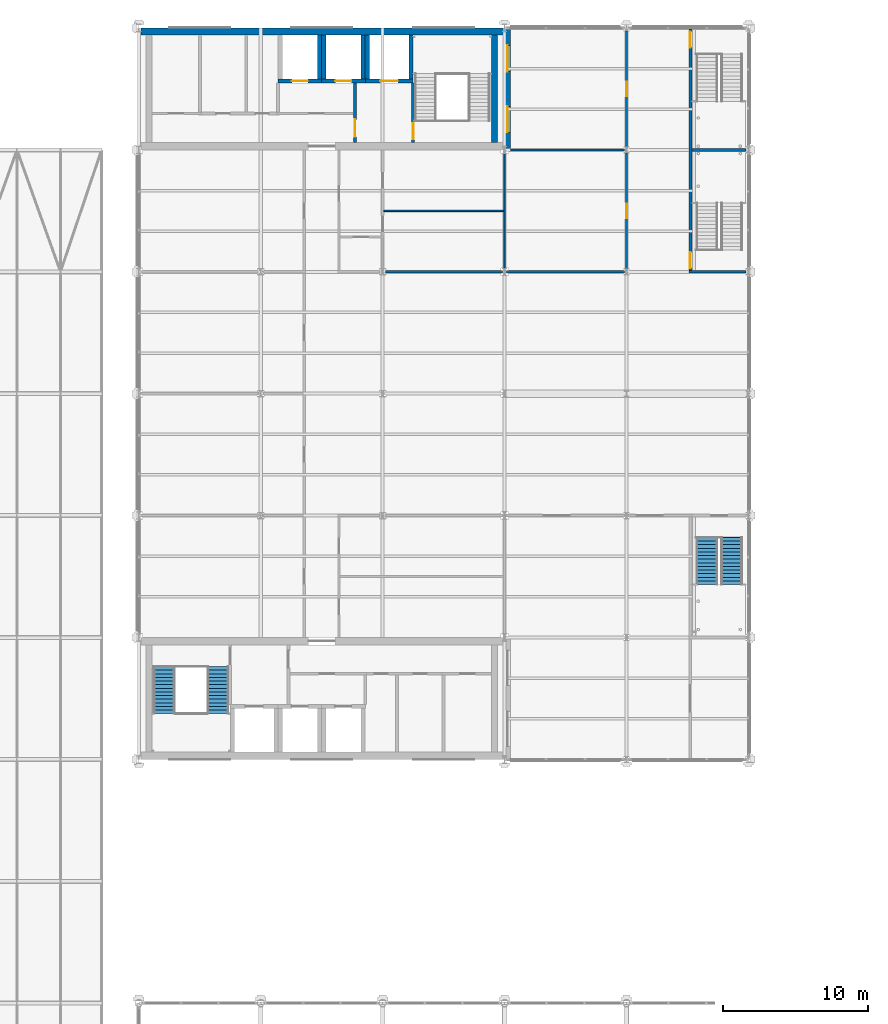
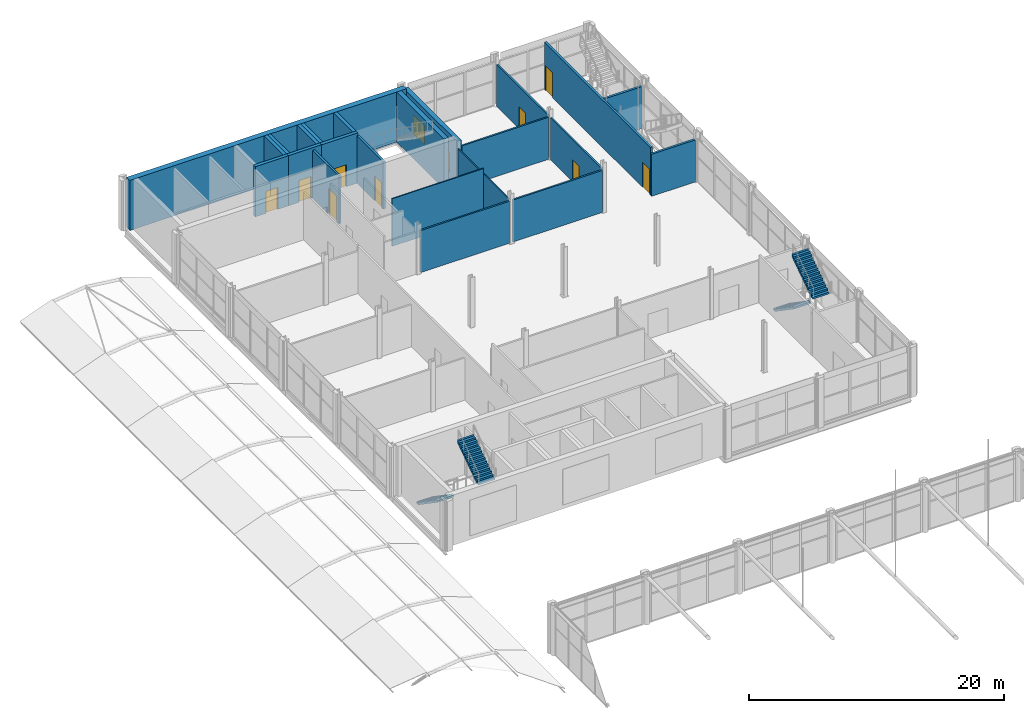
# One storey, part 156 of 167: 23 walls, 9 doors, 4 stair flights, 2 windows, 11 openings, 2 elements without a shape of their own.
"""IFC4 building model written with IfcOpenShell, lengths in metres."""

from ifc_helpers import new_model, si_unit, direction, frame, frame_2d, origin, place, context, subcontext, project, spatial, polyline, rectangle, outline, extrude, material, layer, layer_set, type_object, element, fill, aggregate, save


model = new_model("IFC4")

# Units and contexts
model_context = context("Model", 3, precision=1e-05, world=origin(), true_north=direction((0.0, 1.0)))
body_context = subcontext(model_context, "Body", "Model", "MODEL_VIEW")
ifc_project = project(units=[si_unit("LENGTHUNIT", "METRE"), si_unit("AREAUNIT", "SQUARE_METRE"), si_unit("VOLUMEUNIT", "CUBIC_METRE"), si_unit("PLANEANGLEUNIT", "RADIAN"), si_unit("MASSUNIT", "GRAM", prefix="KILO")], contexts=[model_context])

# Site, building, storey
site_placement = place(None, origin())
site = spatial("IfcSite", under=ifc_project, at=site_placement, CompositionType="ELEMENT")
building_placement = place(site_placement, origin())
building = spatial("IfcBuilding", under=site, at=building_placement, Name="Catenary Quay Ferry Terminal", CompositionType="ELEMENT")
storey_placement = place(building_placement, frame((0.0, 0.0, 6.0)))
storey = spatial("IfcBuildingStorey", under=building, at=storey_placement, Name="L01", CompositionType="ELEMENT", Elevation=6.0)

# Walls
ifc_material_1 = material(Name="Concrete C50/60", Category="concrete")
ifc_layer_1 = layer(ifc_material_1, 0.39990234375)
ifc_layer_set_1 = layer_set([ifc_layer_1], Name="Core wall 400")
wall_type_1 = type_object("IfcWallType", Name="Core wall 400", PredefinedType="SHEAR", material=ifc_layer_set_1)
wall_1_placement = place(storey_placement, frame((49.699951171875, 202.10009765625, 0.0), z_axis=(0.0, 0.0, 1.0), x_axis=(0.0, 1.0, 0.0)))
element("IfcWall", 1, at=wall_1_placement, inside=storey, type_object=wall_type_1, Name="Core wall N4", PredefinedType="SHEAR", context=body_context, shape_type="SweptSolid", body=[
    extrude(rectangle(XDim=7.39990234375, YDim=0.39990234375, at=frame_2d((3.699951171875, 0.0))), origin(), (0.0, 0.0, 1.0), 4.800048828125),
])
ifc_material_2 = material(Name="Concrete C50/60", Category="concrete")
ifc_layer_2 = layer(ifc_material_2, 0.5)
ifc_layer_set_2 = layer_set([ifc_layer_2], Name="Core wall 500")
wall_type_2 = type_object("IfcWallType", Name="Core wall 500", PredefinedType="SHEAR", material=ifc_layer_set_2)
wall_2_placement = place(storey_placement, frame((25.35009765625, 209.75, 0.0), z_axis=(0.0, 0.0, 1.0), x_axis=(1.0, 0.0, 0.0)))
element("IfcWall", 2, at=wall_2_placement, inside=storey, type_object=wall_type_2, Name="Core wall N2", PredefinedType="SHEAR", context=body_context, shape_type="SweptSolid", body=[
    extrude(rectangle(XDim=25.04296875, YDim=0.5, at=frame_2d((12.521484375, 0.0))), origin(), (0.0, 0.0, 1.0), 4.800048828125),
])

# Wall, openings, windows
ifc_material_3 = material(Name="Masonry and insulation", Category="masonry")
ifc_layer_3 = layer(ifc_material_3, 0.39990234375)
ifc_layer_set_3 = layer_set([ifc_layer_3], Name="EW2")
wall_type_3 = type_object("IfcWallType", Name="EW2", PredefinedType="SOLIDWALL", material=ifc_layer_set_3)
wall_3_placement = place(storey_placement, frame((50.60009765625, 201.60009765625, 0.0), z_axis=(0.0, 0.0, 1.0), x_axis=(0.0, 1.0, 0.0)))
wall_3 = element("IfcWall", 3, at=wall_3_placement, inside=storey, type_object=wall_type_3, Name="P34 wall WL189", PredefinedType="SOLIDWALL", context=body_context, shape_type="SweptSolid", body=[
    extrude(rectangle(XDim=8.39990234375, YDim=0.39990234375, at=frame_2d((4.199951171875, 0.0))), origin(), (0.0, 0.0, 1.0), 4.550048828125),
])
opening_1_placement = place(wall_3_placement, frame((1.199951171875, 0.0, 0.89990234375)))
opening_1 = element("IfcOpeningElement", 4, at=opening_1_placement, cuts=wall_3, Name="Opening W40", PredefinedType="OPENING", context=body_context, shape_type="SweptSolid", body=[
    extrude(rectangle(XDim=1.800048828125, YDim=1.800048828125, at=frame_2d((0.89990234375, 0.89990234375))), frame((0.0, 0.2099609375, 0.0), z_axis=(0.0, -1.0, 0.0), x_axis=(1.0, 0.0, 0.0)), (0.0, 0.0, 1.0), 0.419921875),
])
opening_2_placement = place(wall_3_placement, frame((5.39990234375, 0.0, 0.89990234375)))
opening_2 = element("IfcOpeningElement", 5, at=opening_2_placement, cuts=wall_3, Name="Opening W41", PredefinedType="OPENING", context=body_context, shape_type="SweptSolid", body=[
    extrude(rectangle(XDim=1.800048828125, YDim=1.800048828125, at=frame_2d((0.89990234375, 0.89990234375))), frame((0.0, 0.2099609375, 0.0), z_axis=(0.0, -1.0, 0.0), x_axis=(1.0, 0.0, 0.0)), (0.0, 0.0, 1.0), 0.419921875),
])
ifc_material_4 = material(Name="Aluminium and glass", Category="aluminium")
window_type = type_object("IfcWindowType", Name="WT1", PartitioningType="SINGLE_PANEL", PredefinedType="WINDOW", material=ifc_material_4)
window_1_placement = place(opening_1_placement, origin())
window_1 = element("IfcWindow", 6, at=window_1_placement, inside=storey, type_object=window_type, Name="P34 window W40", OverallHeight=1.800048828125, OverallWidth=1.800048828125, PartitioningType="SINGLE_PANEL", PredefinedType="WINDOW", context=body_context, shape_type="SweptSolid", body=[
    extrude(rectangle(XDim=1.800048828125, YDim=1.800048828125, at=frame_2d((0.89990234375, 0.89990234375))), frame((0.0, 0.030029296875, 0.0), z_axis=(0.0, -1.0, 0.0), x_axis=(1.0, 0.0, 0.0)), (0.0, 0.0, 1.0), 0.06005859375),
])
fill(opening_1, window_1)
window_2_placement = place(opening_2_placement, origin())
window_2 = element("IfcWindow", 7, at=window_2_placement, inside=storey, type_object=window_type, Name="P34 window W41", OverallHeight=1.800048828125, OverallWidth=1.800048828125, PartitioningType="SINGLE_PANEL", PredefinedType="WINDOW", context=body_context, shape_type="SweptSolid", body=[
    extrude(rectangle(XDim=1.800048828125, YDim=1.800048828125, at=frame_2d((0.89990234375, 0.89990234375))), frame((0.0, 0.030029296875, 0.0), z_axis=(0.0, -1.0, 0.0), x_axis=(1.0, 0.0, 0.0)), (0.0, 0.0, 1.0), 0.06005859375),
])
fill(opening_2, window_2)

# Walls
ifc_material_5 = material(Name="Concrete C35/45", Category="concrete")
ifc_layer_4 = layer(ifc_material_5, 0.199951171875)
ifc_layer_set_4 = layer_set([ifc_layer_4], Name="IP12")
wall_type_4 = type_object("IfcWallType", Name="IP12", PredefinedType="PARTITIONING", material=ifc_layer_set_4)
wall_4_placement = place(storey_placement, frame((63.10009765625, 193.199951171875, 0.0), z_axis=(0.0, 0.0, 1.0), x_axis=(1.0, 0.0, 0.0)))
element("IfcWall", 8, at=wall_4_placement, inside=storey, type_object=wall_type_4, Name="Stair wall L01 44", PredefinedType="PARTITIONING", context=body_context, shape_type="SweptSolid", body=[
    extrude(rectangle(XDim=3.949951171875, YDim=0.199951171875, at=frame_2d((1.97509765625, 0.0))), origin(), (0.0, 0.0, 1.0), 4.021728515625),
])
wall_5_placement = place(storey_placement, frame((63.300048828125, 201.60009765625, 0.0), z_axis=(0.0, 0.0, 1.0), x_axis=(1.0, 0.0, 0.0)))
element("IfcWall", 9, at=wall_5_placement, inside=storey, type_object=wall_type_4, Name="Stair wall L01 48", PredefinedType="PARTITIONING", context=body_context, shape_type="SweptSolid", body=[
    extrude(rectangle(XDim=3.75, YDim=0.199951171875, at=frame_2d((1.875, 0.0))), origin(), (0.0, 0.0, 1.0), 4.021728515625),
])

# Wall, openings, doors
wall_6_placement = place(storey_placement, frame((63.199951171875, 193.300048828125, 0.0), z_axis=(0.0, 0.0, 1.0), x_axis=(0.0, 1.0, 0.0)))
wall_6 = element("IfcWall", 10, at=wall_6_placement, inside=storey, type_object=wall_type_4, Name="Stair wall L01 81", PredefinedType="PARTITIONING", context=body_context, shape_type="SweptSolid", body=[
    extrude(rectangle(XDim=16.625, YDim=0.199951171875, at=frame_2d((8.3125, 0.0))), origin(), (0.0, 0.0, 1.0), 4.550048828125),
])
opening_3_placement = place(wall_6_placement, frame((0.14990234375, 0.0, 0.0)))
opening_3 = element("IfcOpeningElement", 11, at=opening_3_placement, cuts=wall_6, Name="Opening D156", PredefinedType="OPENING", context=body_context, shape_type="SweptSolid", body=[
    extrude(rectangle(XDim=1.10009765625, YDim=2.39990234375, at=frame_2d((0.550048828125, 1.199951171875))), frame((0.0, 0.10986328125, 0.0), z_axis=(0.0, -1.0, 0.0), x_axis=(1.0, 0.0, 0.0)), (0.0, 0.0, 1.0), 0.219970703125),
])
opening_4_placement = place(wall_6_placement, frame((15.35009765625, 0.0, 0.0)))
opening_4 = element("IfcOpeningElement", 12, at=opening_4_placement, cuts=wall_6, Name="Opening D157", PredefinedType="OPENING", context=body_context, shape_type="SweptSolid", body=[
    extrude(rectangle(XDim=1.10009765625, YDim=2.39990234375, at=frame_2d((0.550048828125, 1.199951171875))), frame((0.0, 0.10986328125, 0.0), z_axis=(0.0, -1.0, 0.0), x_axis=(1.0, 0.0, 0.0)), (0.0, 0.0, 1.0), 0.219970703125),
])
ifc_material_6 = material(Name="Steel", Category="steel")
door_type_1 = type_object("IfcDoorType", Name="DI4", OperationType="SINGLE_SWING_LEFT", PredefinedType="DOOR", material=ifc_material_6)
door_1_placement = place(opening_3_placement, frame((1.10009765625, 0.0, 0.0), z_axis=(0.0, 0.0, 1.0), x_axis=(-1.0, 0.0, 0.0)))
door_1 = element("IfcDoor", 13, at=door_1_placement, inside=storey, type_object=door_type_1, Name="Stair HS4 to East Passage", OperationType="SINGLE_SWING_RIGHT", OverallHeight=2.39990234375, OverallWidth=1.10009765625, PredefinedType="DOOR", context=body_context, shape_type="SweptSolid", body=[
    extrude(rectangle(XDim=1.10009765625, YDim=2.39990234375, at=frame_2d((0.550048828125, 1.199951171875))), frame((0.0, 0.02490234375, 0.0), z_axis=(0.0, -1.0, 0.0), x_axis=(1.0, 0.0, 0.0)), (0.0, 0.0, 1.0), 0.050048828125),
])
fill(opening_3, door_1)
door_2_placement = place(opening_4_placement, frame((1.10009765625, 0.0, 0.0), z_axis=(0.0, 0.0, 1.0), x_axis=(-1.0, 0.0, 0.0)))
door_2 = element("IfcDoor", 14, at=door_2_placement, inside=storey, type_object=door_type_1, Name="Stair HS5 to East Passage", OperationType="SINGLE_SWING_RIGHT", OverallHeight=2.39990234375, OverallWidth=1.10009765625, PredefinedType="DOOR", context=body_context, shape_type="SweptSolid", body=[
    extrude(rectangle(XDim=1.10009765625, YDim=2.39990234375, at=frame_2d((0.550048828125, 1.199951171875))), frame((0.0, 0.02490234375, 0.0), z_axis=(0.0, -1.0, 0.0), x_axis=(1.0, 0.0, 0.0)), (0.0, 0.0, 1.0), 0.050048828125),
])
fill(opening_4, door_2)

# Walls
ifc_material_7 = material(Name="Plasterboard on steel studs", Category="steel")
ifc_layer_5 = layer(ifc_material_7, 0.14990234375)
ifc_layer_set_5 = layer_set([ifc_layer_5], Name="IP3")
wall_type_5 = type_object("IfcWallType", Name="IP3", PredefinedType="PARTITIONING", material=ifc_layer_set_5)
wall_7_placement = place(storey_placement, frame((42.201904296875, 193.199951171875, 0.0), z_axis=(0.0, 0.0, 1.0), x_axis=(1.0, 0.0, 0.0)))
element("IfcWall", 15, at=wall_7_placement, inside=storey, type_object=wall_type_5, Name="Partition L01 42", PredefinedType="PARTITIONING", context=body_context, shape_type="SweptSolid", body=[
    extrude(rectangle(XDim=8.048095703125, YDim=0.14990234375, at=frame_2d((4.02392578125, 0.0))), origin(), (0.0, 0.0, 1.0), 4.021728515625),
])
wall_8_placement = place(storey_placement, frame((50.550048828125, 193.199951171875, 0.0), z_axis=(0.0, 0.0, 1.0), x_axis=(1.0, 0.0, 0.0)))
element("IfcWall", 16, at=wall_8_placement, inside=storey, type_object=wall_type_5, Name="Partition L01 43", PredefinedType="PARTITIONING", context=body_context, shape_type="SweptSolid", body=[
    extrude(rectangle(XDim=8.099853515625, YDim=0.14990234375, at=frame_2d((4.0498046875, 0.0))), origin(), (0.0, 0.0, 1.0), 4.021728515625),
])

# Wall, opening, door
wall_9_placement = place(storey_placement, frame((58.800048828125, 193.39990234375, 0.0), z_axis=(0.0, 0.0, 1.0), x_axis=(0.0, 1.0, 0.0)))
wall_9 = element("IfcWall", 17, at=wall_9_placement, inside=storey, type_object=wall_type_5, Name="Partition L01 75", PredefinedType="PARTITIONING", context=body_context, shape_type="SweptSolid", body=[
    extrude(rectangle(XDim=8.0, YDim=0.14990234375, at=frame_2d((4.0, 0.0))), origin(), (0.0, 0.0, 1.0), 4.021728515625),
])
opening_5_placement = place(wall_9_placement, frame((3.5, 0.0, 0.0)))
opening_5 = element("IfcOpeningElement", 18, at=opening_5_placement, cuts=wall_9, Name="Opening D153", PredefinedType="OPENING", context=body_context, shape_type="SweptSolid", body=[
    extrude(rectangle(XDim=1.0, YDim=2.10009765625, at=frame_2d((0.5, 1.050048828125))), frame((0.0, 0.0849609375, 0.0), z_axis=(0.0, -1.0, 0.0), x_axis=(1.0, 0.0, 0.0)), (0.0, 0.0, 1.0), 0.169921875),
])
ifc_material_8 = material(Name="Timber", Category="wood")
door_type_2 = type_object("IfcDoorType", Name="DI7", OperationType="SINGLE_SWING_LEFT", PredefinedType="DOOR", material=ifc_material_8)
door_3_placement = place(opening_5_placement, origin())
door_3 = element("IfcDoor", 19, at=door_3_placement, inside=storey, type_object=door_type_2, Name="Harbour Office to East Passage", OperationType="SINGLE_SWING_LEFT", OverallHeight=2.10009765625, OverallWidth=1.0, PredefinedType="DOOR", context=body_context, shape_type="SweptSolid", body=[
    extrude(rectangle(XDim=1.0, YDim=2.10009765625, at=frame_2d((0.5, 1.050048828125))), frame((0.0, 0.02490234375, 0.0), z_axis=(0.0, -1.0, 0.0), x_axis=(1.0, 0.0, 0.0)), (0.0, 0.0, 1.0), 0.050048828125),
])
fill(opening_5, door_3)

wall_10_placement = place(storey_placement, frame((58.800048828125, 201.800048828125, 0.0), z_axis=(0.0, 0.0, 1.0), x_axis=(0.0, 1.0, 0.0)))
wall_10 = element("IfcWall", 20, at=wall_10_placement, inside=storey, type_object=wall_type_5, Name="Partition L01 76", PredefinedType="PARTITIONING", context=body_context, shape_type="SweptSolid", body=[
    extrude(rectangle(XDim=8.0, YDim=0.14990234375, at=frame_2d((4.0, 0.0))), origin(), (0.0, 0.0, 1.0), 4.021728515625),
])
opening_6_placement = place(wall_10_placement, frame((3.5, 0.0, 0.0)))
opening_6 = element("IfcOpeningElement", 21, at=opening_6_placement, cuts=wall_10, Name="Opening D154", PredefinedType="OPENING", context=body_context, shape_type="SweptSolid", body=[
    extrude(rectangle(XDim=1.0, YDim=2.10009765625, at=frame_2d((0.5, 1.050048828125))), frame((0.0, 0.0849609375, 0.0), z_axis=(0.0, -1.0, 0.0), x_axis=(1.0, 0.0, 0.0)), (0.0, 0.0, 1.0), 0.169921875),
])
door_4_placement = place(opening_6_placement, origin())
door_4 = element("IfcDoor", 22, at=door_4_placement, inside=storey, type_object=door_type_2, Name="Navigation Chart Room to East Passage", OperationType="SINGLE_SWING_LEFT", OverallHeight=2.10009765625, OverallWidth=1.0, PredefinedType="DOOR", context=body_context, shape_type="SweptSolid", body=[
    extrude(rectangle(XDim=1.0, YDim=2.10009765625, at=frame_2d((0.5, 1.050048828125))), frame((0.0, 0.02490234375, 0.0), z_axis=(0.0, -1.0, 0.0), x_axis=(1.0, 0.0, 0.0)), (0.0, 0.0, 1.0), 0.050048828125),
])
fill(opening_6, door_4)

ifc_material_9 = material(Name="Blockwork and plaster", Category="masonry")
ifc_layer_6 = layer(ifc_material_9, 0.199951171875)
ifc_layer_set_6 = layer_set([ifc_layer_6], Name="IP4")
wall_type_6 = type_object("IfcWallType", Name="IP4", PredefinedType="PARTITIONING", material=ifc_layer_set_6)
wall_11_placement = place(storey_placement, frame((40.10009765625, 202.10009765625, 0.0), z_axis=(0.0, 0.0, 1.0), x_axis=(0.0, 1.0, 0.0)))
wall_11 = element("IfcWall", 23, at=wall_11_placement, inside=storey, type_object=wall_type_6, Name="Partition L01 64", PredefinedType="PARTITIONING", context=body_context, shape_type="SweptSolid", body=[
    extrude(rectangle(XDim=4.099853515625, YDim=0.199951171875, at=frame_2d((2.0498046875, 0.0))), origin(), (0.0, 0.0, 1.0), 4.550048828125),
])
opening_7_placement = place(wall_11_placement, frame((0.39990234375, 0.0, 0.0)))
opening_7 = element("IfcOpeningElement", 24, at=opening_7_placement, cuts=wall_11, Name="Opening D129", PredefinedType="OPENING", context=body_context, shape_type="SweptSolid", body=[
    extrude(rectangle(XDim=1.199951171875, YDim=2.39990234375, at=frame_2d((0.60009765625, 1.199951171875))), frame((0.0, 0.10986328125, 0.0), z_axis=(0.0, -1.0, 0.0), x_axis=(1.0, 0.0, 0.0)), (0.0, 0.0, 1.0), 0.219970703125),
])
ifc_material_10 = material(Name="Steel and glass", Category="steel")
door_type_3 = type_object("IfcDoorType", Name="DI10", OperationType="SINGLE_SWING_LEFT", PredefinedType="DOOR", material=ifc_material_10)
door_5_placement = place(opening_7_placement, frame((1.199951171875, 0.0, 0.0), z_axis=(0.0, 0.0, 1.0), x_axis=(-1.0, 0.0, 0.0)))
door_5 = element("IfcDoor", 25, at=door_5_placement, inside=storey, type_object=door_type_3, Name="Fire-fighting Lobby N to Core Corridor N", OperationType="SINGLE_SWING_RIGHT", OverallHeight=2.39990234375, OverallWidth=1.199951171875, PredefinedType="DOOR", context=body_context, shape_type="SweptSolid", body=[
    extrude(rectangle(XDim=1.199951171875, YDim=2.39990234375, at=frame_2d((0.60009765625, 1.199951171875))), frame((0.0, 0.02490234375, 0.0), z_axis=(0.0, -1.0, 0.0), x_axis=(1.0, 0.0, 0.0)), (0.0, 0.0, 1.0), 0.050048828125),
])
fill(opening_7, door_5)

wall_12_placement = place(storey_placement, frame((44.10009765625, 202.10009765625, 0.0), z_axis=(0.0, 0.0, 1.0), x_axis=(0.0, 1.0, 0.0)))
wall_12 = element("IfcWall", 26, at=wall_12_placement, inside=storey, type_object=wall_type_6, Name="Partition L01 69", PredefinedType="PARTITIONING", context=body_context, shape_type="SweptSolid", body=[
    extrude(rectangle(XDim=4.099853515625, YDim=0.199951171875, at=frame_2d((2.0498046875, 0.0))), origin(), (0.0, 0.0, 1.0), 4.550048828125),
])
opening_8_placement = place(wall_12_placement, frame((0.25, 0.0, 0.0)))
opening_8 = element("IfcOpeningElement", 27, at=opening_8_placement, cuts=wall_12, Name="Opening D137", PredefinedType="OPENING", context=body_context, shape_type="SweptSolid", body=[
    extrude(rectangle(XDim=1.10009765625, YDim=2.39990234375, at=frame_2d((0.550048828125, 1.199951171875))), frame((0.0, 0.10986328125, 0.0), z_axis=(0.0, -1.0, 0.0), x_axis=(1.0, 0.0, 0.0)), (0.0, 0.0, 1.0), 0.219970703125),
])
door_6_placement = place(opening_8_placement, frame((1.10009765625, 0.0, 0.0), z_axis=(0.0, 0.0, 1.0), x_axis=(-1.0, 0.0, 0.0)))
door_6 = element("IfcDoor", 28, at=door_6_placement, inside=storey, type_object=door_type_1, Name="Stair HS1 to Fire-fighting Lobby N", OperationType="SINGLE_SWING_RIGHT", OverallHeight=2.39990234375, OverallWidth=1.10009765625, PredefinedType="DOOR", context=body_context, shape_type="SweptSolid", body=[
    extrude(rectangle(XDim=1.10009765625, YDim=2.39990234375, at=frame_2d((0.550048828125, 1.199951171875))), frame((0.0, 0.02490234375, 0.0), z_axis=(0.0, -1.0, 0.0), x_axis=(1.0, 0.0, 0.0)), (0.0, 0.0, 1.0), 0.050048828125),
])
fill(opening_8, door_6)

# Walls
ifc_material_11 = material(Name="Plasterboard on steel studs", Category="steel")
ifc_layer_7 = layer(ifc_material_11, 0.14990234375)
ifc_layer_set_7 = layer_set([ifc_layer_7], Name="IP7")
wall_type_7 = type_object("IfcWallType", Name="IP7", PredefinedType="PARTITIONING", material=ifc_layer_set_7)
wall_13_placement = place(storey_placement, frame((50.800048828125, 201.60009765625, 0.0), z_axis=(0.0, 0.0, 1.0), x_axis=(1.0, 0.0, 0.0)))
element("IfcWall", 29, at=wall_13_placement, inside=storey, type_object=wall_type_7, Name="Partition L01 47", PredefinedType="PARTITIONING", context=body_context, shape_type="SweptSolid", body=[
    extrude(rectangle(XDim=7.849853515625, YDim=0.14990234375, at=frame_2d((3.9248046875, 0.0))), origin(), (0.0, 0.0, 1.0), 4.021728515625),
])
ifc_material_12 = material(Name="Plasterboard on steel studs", Category="steel")
ifc_layer_8 = layer(ifc_material_12, 0.10009765625)
ifc_layer_set_8 = layer_set([ifc_layer_8], Name="IP8")
wall_type_8 = type_object("IfcWallType", Name="IP8", PredefinedType="PARTITIONING", material=ifc_layer_set_8)
wall_14_placement = place(storey_placement, frame((42.074951171875, 197.39990234375, 0.0), z_axis=(0.0, 0.0, 1.0), x_axis=(1.0, 0.0, 0.0)))
element("IfcWall", 30, at=wall_14_placement, inside=storey, type_object=wall_type_8, Name="Partition L01 46", PredefinedType="PARTITIONING", context=body_context, shape_type="SweptSolid", body=[
    extrude(rectangle(XDim=8.275146484375, YDim=0.10009765625, at=frame_2d((4.1376953125, 0.0))), origin(), (0.0, 0.0, 1.0), 4.550048828125),
])
wall_15_placement = place(storey_placement, frame((50.39990234375, 193.449951171875, 0.0), z_axis=(0.0, 0.0, 1.0), x_axis=(0.0, 1.0, 0.0)))
element("IfcWall", 31, at=wall_15_placement, inside=storey, type_object=wall_type_8, Name="Partition L01 73", PredefinedType="PARTITIONING", context=body_context, shape_type="SweptSolid", body=[
    extrude(rectangle(XDim=7.900146484375, YDim=0.10009765625, at=frame_2d((3.9501953125, 0.0))), origin(), (0.0, 0.0, 1.0), 4.021728515625),
])

# Wall, opening, door
ifc_material_13 = material(Name="Concrete C50/60", Category="concrete")
ifc_layer_9 = layer(ifc_material_13, 0.300048828125)
ifc_layer_set_9 = layer_set([ifc_layer_9], Name="Shaft wall 300")
wall_type_9 = type_object("IfcWallType", Name="Shaft wall 300", PredefinedType="SHEAR", material=ifc_layer_set_9)
wall_16_placement = place(storey_placement, frame((40.800048828125, 206.35009765625, 0.0), z_axis=(0.0, 0.0, 1.0), x_axis=(1.0, 0.0, 0.0)))
wall_16 = element("IfcWall", 32, at=wall_16_placement, inside=storey, type_object=wall_type_9, Name="Shaft wall FL2 S", PredefinedType="SHEAR", context=body_context, shape_type="SweptSolid", body=[
    extrude(rectangle(XDim=3.300048828125, YDim=0.300048828125, at=frame_2d((1.64990234375, 0.0))), origin(), (0.0, 0.0, 1.0), 4.800048828125),
])
opening_9_placement = place(wall_16_placement, frame((1.050048828125, 0.0, 0.0)))
opening_9 = element("IfcOpeningElement", 33, at=opening_9_placement, cuts=wall_16, Name="Opening LD11", PredefinedType="OPENING", context=body_context, shape_type="SweptSolid", body=[
    extrude(rectangle(XDim=1.199951171875, YDim=2.10009765625, at=frame_2d((0.60009765625, 1.050048828125))), frame((0.0, 0.159912109375, 0.0), z_axis=(0.0, -1.0, 0.0), x_axis=(1.0, 0.0, 0.0)), (0.0, 0.0, 1.0), 0.320068359375),
])
ifc_material_14 = material(Name="Stainless steel", Category="steel")
door_type_4 = type_object("IfcDoorType", Name="DL2", OperationType="SLIDING_TO_LEFT", PredefinedType="DOOR", material=ifc_material_14)
door_7_placement = place(opening_9_placement, origin())
door_7 = element("IfcDoor", 34, at=door_7_placement, inside=storey, type_object=door_type_4, Name="Lift FL2 landing door L01", OperationType="SLIDING_TO_LEFT", OverallHeight=2.10009765625, OverallWidth=1.199951171875, PredefinedType="DOOR", context=body_context, shape_type="SweptSolid", body=[
    extrude(rectangle(XDim=1.199951171875, YDim=2.10009765625, at=frame_2d((0.60009765625, 1.050048828125))), frame((0.0, 0.02490234375, 0.0), z_axis=(0.0, -1.0, 0.0), x_axis=(1.0, 0.0, 0.0)), (0.0, 0.0, 1.0), 0.050048828125),
])
fill(opening_9, door_7)

# Walls
for number, where, z_axis, x_axis, name in (
    (35, (43.949951171875, 206.5, 0.0), (0.0, 0.0, 1.0), (0.0, 1.0, 0.0), "Shaft wall FL2 E"),
    (36, (40.949951171875, 206.5, 0.0), (0.0, 0.0, 1.0), (0.0, 1.0, 0.0), "Shaft wall FL2 W"),
):
    element("IfcWall", number, at=place(storey_placement, frame(where, z_axis=z_axis, x_axis=x_axis)), inside=storey, type_object=wall_type_9, Name=name, PredefinedType="SHEAR", context=body_context, shape_type="SweptSolid", body=[
        extrude(rectangle(XDim=3.0, YDim=0.300048828125, at=frame_2d((1.5, 0.0))), origin(), (0.0, 0.0, 1.0), 4.800048828125),
    ])

# Wall, opening, door
wall_17_placement = place(storey_placement, frame((37.800048828125, 206.35009765625, 0.0), z_axis=(0.0, 0.0, 1.0), x_axis=(1.0, 0.0, 0.0)))
wall_17 = element("IfcWall", 37, at=wall_17_placement, inside=storey, type_object=wall_type_9, Name="Shaft wall GL3 S", PredefinedType="SHEAR", context=body_context, shape_type="SweptSolid", body=[
    extrude(rectangle(XDim=3.0, YDim=0.300048828125, at=frame_2d((1.5, 0.0))), origin(), (0.0, 0.0, 1.0), 4.800048828125),
])
opening_10_placement = place(wall_17_placement, frame((0.949951171875, 0.0, 0.0)))
opening_10 = element("IfcOpeningElement", 38, at=opening_10_placement, cuts=wall_17, Name="Opening LD26", PredefinedType="OPENING", context=body_context, shape_type="SweptSolid", body=[
    extrude(rectangle(XDim=1.10009765625, YDim=2.10009765625, at=frame_2d((0.550048828125, 1.050048828125))), frame((0.0, 0.159912109375, 0.0), z_axis=(0.0, -1.0, 0.0), x_axis=(1.0, 0.0, 0.0)), (0.0, 0.0, 1.0), 0.320068359375),
])
ifc_material_15 = material(Name="Stainless steel", Category="steel")
door_type_5 = type_object("IfcDoorType", Name="DL1", OperationType="SLIDING_TO_LEFT", PredefinedType="DOOR", material=ifc_material_15)
door_8_placement = place(opening_10_placement, origin())
door_8 = element("IfcDoor", 39, at=door_8_placement, inside=storey, type_object=door_type_5, Name="Lift GL3 landing door L01", OperationType="SLIDING_TO_LEFT", OverallHeight=2.10009765625, OverallWidth=1.10009765625, PredefinedType="DOOR", context=body_context, shape_type="SweptSolid", body=[
    extrude(rectangle(XDim=1.10009765625, YDim=2.10009765625, at=frame_2d((0.550048828125, 1.050048828125))), frame((0.0, 0.02490234375, 0.0), z_axis=(0.0, -1.0, 0.0), x_axis=(1.0, 0.0, 0.0)), (0.0, 0.0, 1.0), 0.050048828125),
])
fill(opening_10, door_8)

# Walls
for number, where, z_axis, x_axis, name in (
    (40, (40.64990234375, 206.5, 0.0), (0.0, 0.0, 1.0), (0.0, 1.0, 0.0), "Shaft wall GL3 E"),
    (41, (37.949951171875, 206.5, 0.0), (0.0, 0.0, 1.0), (0.0, 1.0, 0.0), "Shaft wall GL3 W"),
):
    element("IfcWall", number, at=place(storey_placement, frame(where, z_axis=z_axis, x_axis=x_axis)), inside=storey, type_object=wall_type_9, Name=name, PredefinedType="SHEAR", context=body_context, shape_type="SweptSolid", body=[
        extrude(rectangle(XDim=3.0, YDim=0.300048828125, at=frame_2d((1.5, 0.0))), origin(), (0.0, 0.0, 1.0), 4.800048828125),
    ])

# Wall, opening, door
wall_18_placement = place(storey_placement, frame((34.800048828125, 206.35009765625, 0.0), z_axis=(0.0, 0.0, 1.0), x_axis=(1.0, 0.0, 0.0)))
wall_18 = element("IfcWall", 42, at=wall_18_placement, inside=storey, type_object=wall_type_9, Name="Shaft wall GL4 S", PredefinedType="SHEAR", context=body_context, shape_type="SweptSolid", body=[
    extrude(rectangle(XDim=3.0, YDim=0.300048828125, at=frame_2d((1.5, 0.0))), origin(), (0.0, 0.0, 1.0), 4.800048828125),
])
opening_11_placement = place(wall_18_placement, frame((0.949951171875, 0.0, 0.0)))
opening_11 = element("IfcOpeningElement", 43, at=opening_11_placement, cuts=wall_18, Name="Opening LD31", PredefinedType="OPENING", context=body_context, shape_type="SweptSolid", body=[
    extrude(rectangle(XDim=1.10009765625, YDim=2.10009765625, at=frame_2d((0.550048828125, 1.050048828125))), frame((0.0, 0.159912109375, 0.0), z_axis=(0.0, -1.0, 0.0), x_axis=(1.0, 0.0, 0.0)), (0.0, 0.0, 1.0), 0.320068359375),
])
door_9_placement = place(opening_11_placement, origin())
door_9 = element("IfcDoor", 44, at=door_9_placement, inside=storey, type_object=door_type_5, Name="Lift GL4 landing door L01", OperationType="SLIDING_TO_LEFT", OverallHeight=2.10009765625, OverallWidth=1.10009765625, PredefinedType="DOOR", context=body_context, shape_type="SweptSolid", body=[
    extrude(rectangle(XDim=1.10009765625, YDim=2.10009765625, at=frame_2d((0.550048828125, 1.050048828125))), frame((0.0, 0.02490234375, 0.0), z_axis=(0.0, -1.0, 0.0), x_axis=(1.0, 0.0, 0.0)), (0.0, 0.0, 1.0), 0.050048828125),
])
fill(opening_11, door_9)

# Wall
wall_19_placement = place(storey_placement, frame((37.64990234375, 206.5, 0.0), z_axis=(0.0, 0.0, 1.0), x_axis=(0.0, 1.0, 0.0)))
element("IfcWall", 45, at=wall_19_placement, inside=storey, type_object=wall_type_9, Name="Shaft wall GL4 E", PredefinedType="SHEAR", context=body_context, shape_type="SweptSolid", body=[
    extrude(rectangle(XDim=3.0, YDim=0.300048828125, at=frame_2d((1.5, 0.0))), origin(), (0.0, 0.0, 1.0), 4.800048828125),
])

# Stair, stair flights
ifc_material_16 = material(Name="Concrete C35/45", Category="concrete")
stair_type = type_object("IfcStairType", Name="STX1500", PredefinedType="HALF_TURN_STAIR", material=ifc_material_16)
stair_1_placement = place(storey_placement, origin())
stair_1 = element("IfcStair", 46, at=stair_1_placement, inside=storey, type_object=stair_type, Name="Stair HS2 L01 to L02", PredefinedType="HALF_TURN_STAIR")
ifc_material_17 = material(Name="Concrete C35/45", Category="concrete")
stair_flight_type = type_object("IfcStairFlightType", Name="SFX1500", PredefinedType="STRAIGHT", material=ifc_material_17)
stair_flight_1_placement = place(storey_placement, frame((26.949951171875, 166.0, 0.0), z_axis=(0.0, 0.0, 1.0), x_axis=(0.0, -1.0, 0.0)))
stair_flight_1 = element("IfcStairFlight", 47, at=stair_flight_1_placement, type_object=stair_flight_type, Name="HS2-L01 flight 1", NumberOfRisers=14, NumberOfTreads=13, PredefinedType="STRAIGHT", RiserHeight=0.171428571, TreadLength=0.25, context=body_context, shape_type="SweptSolid", body=[
    extrude(outline(polyline([(-0.010009765625, 0.0), (-0.010009765625, 0.0244140625), (-0.010009765625, 0.049072265625), (-0.010009765625, 0.073486328125), (-0.010009765625, 0.097900390625), (-0.010009765625, 0.12255859375), (-0.010009765625, 0.14697265625), (-0.010009765625, 0.17138671875), (0.0, 0.17138671875), (0.25, 0.17138671875), (0.25, 0.3427734375), (0.5, 0.3427734375), (0.5, 0.514404296875), (0.75, 0.514404296875), (0.75, 0.685791015625), (1.0, 0.685791015625), (1.0, 0.857177734375), (1.25, 0.857177734375), (1.25, 1.028564453125), (1.5, 1.028564453125), (1.5, 1.199951171875), (1.75, 1.199951171875), (1.75, 1.371337890625), (2.0, 1.371337890625), (2.0, 1.54296875), (2.25, 1.54296875), (2.25, 1.71435546875), (2.5, 1.71435546875), (2.5, 1.8857421875), (2.75, 1.8857421875), (2.75, 2.05712890625), (3.0, 2.05712890625), (3.0, 2.228515625), (3.25, 2.228515625), (3.25, 2.39990234375), (3.25, 2.349609375), (3.25, 2.299072265625), (3.25, 2.24853515625), (3.25, 2.1982421875), (3.25, 2.147705078125), (3.25, 2.09716796875), (3.25, 2.046875), (0.26513671875, 0.0), (-0.010009765625, 0.0)])), frame((0.0, 0.75, 0.0), z_axis=(0.0, -1.0, 0.0), x_axis=(1.0, 0.0, 0.0)), (0.0, 0.0, 1.0), 1.5),
])
stair_flight_2_placement = place(storey_placement, frame((30.64990234375, 162.75, 2.39990234375), z_axis=(0.0, 0.0, 1.0), x_axis=(0.0, 1.0, 0.0)))
stair_flight_2 = element("IfcStairFlight", 48, at=stair_flight_2_placement, type_object=stair_flight_type, Name="HS2-L01 flight 2", NumberOfRisers=14, NumberOfTreads=13, PredefinedType="STRAIGHT", RiserHeight=0.171428571, TreadLength=0.25, context=body_context, shape_type="SweptSolid", body=[
    extrude(outline(polyline([(0.0, 0.0), (0.0, 0.0244140625), (0.0, 0.049072265625), (0.0, 0.073486328125), (0.0, 0.097900390625), (0.0, 0.12255859375), (0.0, 0.14697265625), (0.0, 0.17138671875), (0.25, 0.17138671875), (0.25, 0.3427734375), (0.5, 0.3427734375), (0.5, 0.514404296875), (0.75, 0.514404296875), (0.75, 0.685791015625), (1.0, 0.685791015625), (1.0, 0.857177734375), (1.25, 0.857177734375), (1.25, 1.028564453125), (1.5, 1.028564453125), (1.5, 1.199951171875), (1.75, 1.199951171875), (1.75, 1.371337890625), (2.0, 1.371337890625), (2.0, 1.54296875), (2.25, 1.54296875), (2.25, 1.71435546875), (2.5, 1.71435546875), (2.5, 1.8857421875), (2.75, 1.8857421875), (2.75, 2.05712890625), (3.0, 2.05712890625), (3.0, 2.228515625), (3.25, 2.228515625), (3.25, 2.39990234375), (3.260009765625, 2.39990234375), (3.260009765625, 2.349609375), (3.260009765625, 2.299072265625), (3.260009765625, 2.24853515625), (3.260009765625, 2.1982421875), (3.260009765625, 2.147705078125), (3.260009765625, 2.09716796875), (3.260009765625, 2.046875), (0.26513671875, 0.0), (0.0, 0.0)])), frame((0.0, 0.75, 0.0), z_axis=(0.0, -1.0, 0.0), x_axis=(1.0, 0.0, 0.0)), (0.0, 0.0, 1.0), 1.5),
])
aggregate(stair_1, [stair_flight_1, stair_flight_2])

stair_2_placement = place(storey_placement, origin())
stair_2 = element("IfcStair", 49, at=stair_2_placement, inside=storey, type_object=stair_type, Name="Stair HS3 L01 to L02", PredefinedType="HALF_TURN_STAIR")
stair_flight_3_placement = place(storey_placement, frame((64.35009765625, 174.89990234375, 0.0), z_axis=(0.0, 0.0, 1.0), x_axis=(0.0, -1.0, 0.0)))
stair_flight_3 = element("IfcStairFlight", 50, at=stair_flight_3_placement, type_object=stair_flight_type, Name="HS3-L01 flight 1", NumberOfRisers=14, NumberOfTreads=13, PredefinedType="STRAIGHT", RiserHeight=0.171428571, TreadLength=0.25, context=body_context, shape_type="SweptSolid", body=[
    extrude(outline(polyline([(-0.010009765625, 0.0), (-0.010009765625, 0.0244140625), (-0.010009765625, 0.049072265625), (-0.010009765625, 0.073486328125), (-0.010009765625, 0.097900390625), (-0.010009765625, 0.12255859375), (-0.010009765625, 0.14697265625), (-0.010009765625, 0.17138671875), (0.0, 0.17138671875), (0.25, 0.17138671875), (0.25, 0.3427734375), (0.5, 0.3427734375), (0.5, 0.514404296875), (0.75, 0.514404296875), (0.75, 0.685791015625), (1.0, 0.685791015625), (1.0, 0.857177734375), (1.25, 0.857177734375), (1.25, 1.028564453125), (1.5, 1.028564453125), (1.5, 1.199951171875), (1.75, 1.199951171875), (1.75, 1.371337890625), (2.0, 1.371337890625), (2.0, 1.54296875), (2.25, 1.54296875), (2.25, 1.71435546875), (2.5, 1.71435546875), (2.5, 1.8857421875), (2.75, 1.8857421875), (2.75, 2.05712890625), (3.0, 2.05712890625), (3.0, 2.228515625), (3.25, 2.228515625), (3.25, 2.39990234375), (3.25, 2.349609375), (3.25, 2.299072265625), (3.25, 2.24853515625), (3.25, 2.1982421875), (3.25, 2.147705078125), (3.25, 2.09716796875), (3.25, 2.046875), (0.26513671875, 0.0), (-0.010009765625, 0.0)])), frame((0.0, 0.75, 0.0), z_axis=(0.0, -1.0, 0.0), x_axis=(1.0, 0.0, 0.0)), (0.0, 0.0, 1.0), 1.5),
])
stair_flight_4_placement = place(storey_placement, frame((66.050048828125, 171.64990234375, 2.39990234375), z_axis=(0.0, 0.0, 1.0), x_axis=(0.0, 1.0, 0.0)))
stair_flight_4 = element("IfcStairFlight", 51, at=stair_flight_4_placement, type_object=stair_flight_type, Name="HS3-L01 flight 2", NumberOfRisers=14, NumberOfTreads=13, PredefinedType="STRAIGHT", RiserHeight=0.171428571, TreadLength=0.25, context=body_context, shape_type="SweptSolid", body=[
    extrude(outline(polyline([(0.0, 0.0), (0.0, 0.0244140625), (0.0, 0.049072265625), (0.0, 0.073486328125), (0.0, 0.097900390625), (0.0, 0.12255859375), (0.0, 0.14697265625), (0.0, 0.17138671875), (0.25, 0.17138671875), (0.25, 0.3427734375), (0.5, 0.3427734375), (0.5, 0.514404296875), (0.75, 0.514404296875), (0.75, 0.685791015625), (1.0, 0.685791015625), (1.0, 0.857177734375), (1.25, 0.857177734375), (1.25, 1.028564453125), (1.5, 1.028564453125), (1.5, 1.199951171875), (1.75, 1.199951171875), (1.75, 1.371337890625), (2.0, 1.371337890625), (2.0, 1.54296875), (2.25, 1.54296875), (2.25, 1.71435546875), (2.5, 1.71435546875), (2.5, 1.8857421875), (2.75, 1.8857421875), (2.75, 2.05712890625), (3.0, 2.05712890625), (3.0, 2.228515625), (3.25, 2.228515625), (3.25, 2.39990234375), (3.260009765625, 2.39990234375), (3.260009765625, 2.349609375), (3.260009765625, 2.299072265625), (3.260009765625, 2.24853515625), (3.260009765625, 2.1982421875), (3.260009765625, 2.147705078125), (3.260009765625, 2.09716796875), (3.260009765625, 2.046875), (0.26513671875, 0.0), (0.0, 0.0)])), frame((0.0, 0.75, 0.0), z_axis=(0.0, -1.0, 0.0), x_axis=(1.0, 0.0, 0.0)), (0.0, 0.0, 1.0), 1.5),
])
aggregate(stair_2, [stair_flight_3, stair_flight_4])

save(model, "model.ifc")
